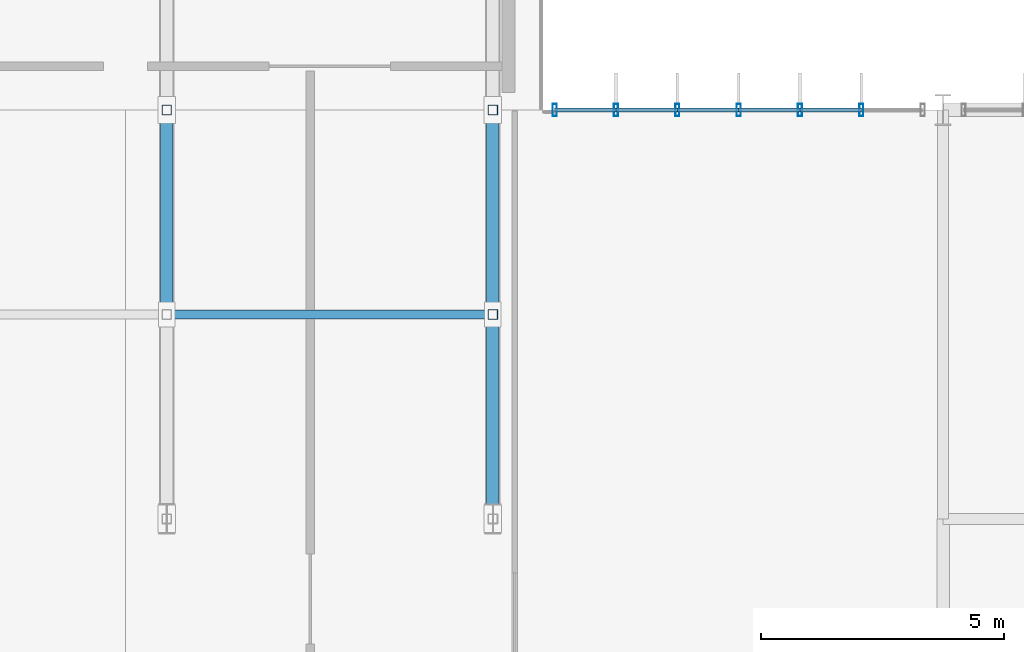
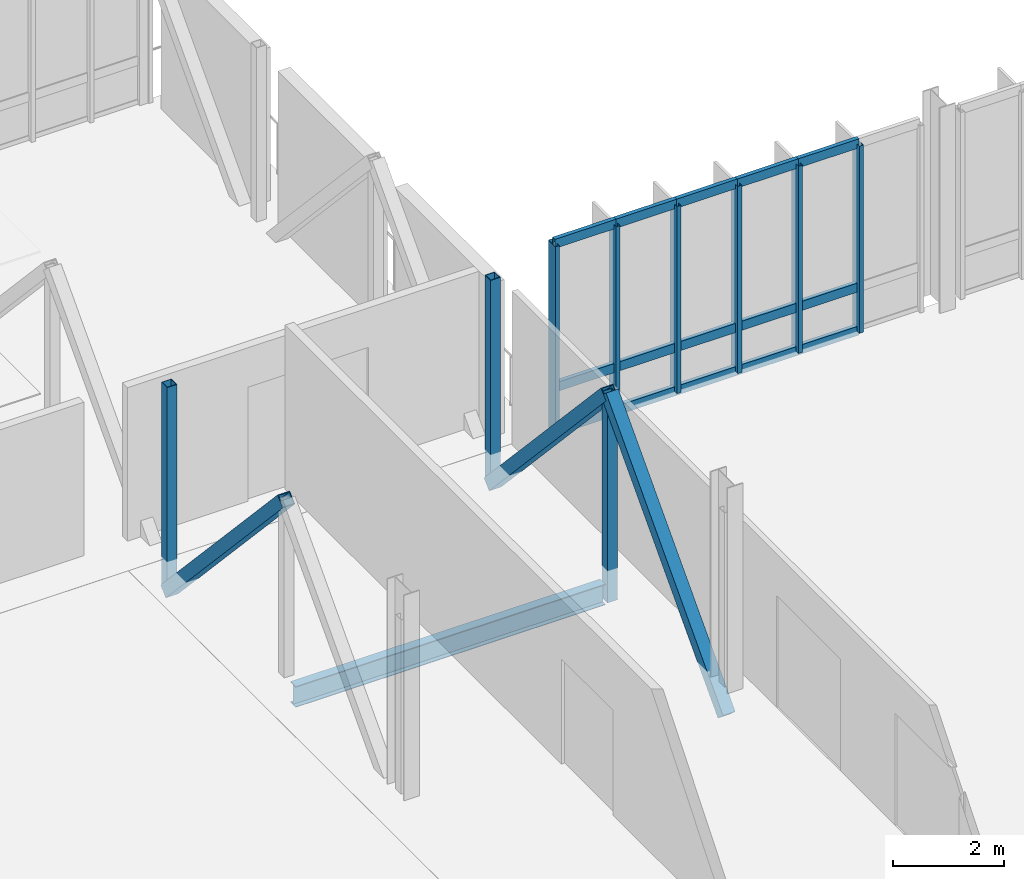
# One storey, part 69 of 139: 27 members, 1 beam, 1 element without a shape of its own.
"""IFC4 building model written with IfcOpenShell, lengths in metres."""

from ifc_helpers import new_model, si_unit, derived_unit, direction, frame, origin, origin_2d, place, context, subcontext, project, spatial, hollow_rectangle, i_section, extrude, material, layer, layer_set, material_profile, profile_set, type_object, element, aggregate, save


model = new_model("IFC4")

# Units and contexts
model_context = context("Model", 3, precision=1e-05, world=origin(), true_north=direction((0.0, 1.0)))
body_context = subcontext(model_context, "Body", "Model", "MODEL_VIEW")
ifc_project = project(units=[si_unit("LENGTHUNIT", "METRE"), si_unit("AREAUNIT", "SQUARE_METRE"), si_unit("VOLUMEUNIT", "CUBIC_METRE"), si_unit("PLANEANGLEUNIT", "RADIAN"), si_unit("MASSUNIT", "GRAM", prefix="KILO"), derived_unit("THERMALTRANSMITTANCEUNIT", [(si_unit("MASSUNIT", "GRAM", prefix="KILO"), 1), (si_unit("TIMEUNIT", "SECOND"), -3), (si_unit("THERMODYNAMICTEMPERATUREUNIT", "KELVIN"), -1)])], contexts=[model_context])

# Site, building, storey
site_placement = place(None, origin())
site = spatial("IfcSite", under=ifc_project, at=site_placement, CompositionType="ELEMENT")
building_placement = place(site_placement, origin())
building = spatial("IfcBuilding", under=site, at=building_placement, Name="Makaiwela Harbour Ferry Terminal", CompositionType="ELEMENT")
storey_placement = place(building_placement, frame((0.0, 0.0, 5.10009765625)))
storey = spatial("IfcBuildingStorey", under=building, at=storey_placement, Name="L01", CompositionType="ELEMENT", Elevation=5.10009765625)

# Curtain wall, members
ifc_material_1 = material(Name="Marine anodised aluminium 6063-T6", Category="aluminium")
ifc_layer = layer(ifc_material_1, 0.199951171875)
ifc_layer_set = layer_set([ifc_layer], Name="Marine anodised aluminium 6063-T6")
curtain_wall_type = type_object("IfcCurtainWallType", Name="ENV-CW-08", PredefinedType="USERDEFINED", material=ifc_layer_set)
curtain_wall_placement = place(storey_placement, origin())
curtain_wall = element("IfcCurtainWall", 1, at=curtain_wall_placement, inside=storey, type_object=curtain_wall_type, Name="Unitised Curtain Wall CWA-084", ObjectType="UNITIZED CURTAIN WALL", PredefinedType="USERDEFINED")
ifc_material_profile_1 = material_profile(ifc_material_1, hollow_rectangle(XDim=0.0849609375, YDim=0.25, WallThickness=0.0048828125, at=origin_2d()), Name="CWM-250X85")
ifc_profile_set_1 = profile_set([ifc_material_profile_1], Name="Marine anodised aluminium 6063-T6")
member_type_1 = type_object("IfcMemberType", Name="CW-MUL-250", PredefinedType="MULLION", material=ifc_profile_set_1)
member_1_placement = place(storey_placement, frame((105.419921875, 103.39990234375, 0.0), z_axis=(0.0, 0.0, 1.0), x_axis=(1.0, 0.0, 0.0)))
member_1 = element("IfcMember", 2, at=member_1_placement, type_object=member_type_1, Name="Curtain Wall Mullion CWA-084-1", PredefinedType="MULLION", context=body_context, shape_type="SweptSolid", body=[
    extrude(hollow_rectangle(XDim=0.0849609375, YDim=0.25, WallThickness=0.0048828125, at=origin_2d()), origin(), (0.0, 0.0, 1.0), 4.099853515625),
])
member_2_placement = place(storey_placement, frame((106.679931640625, 103.39990234375, 0.0), z_axis=(0.0, 0.0, 1.0), x_axis=(1.0, 0.0, 0.0)))
member_2 = element("IfcMember", 3, at=member_2_placement, type_object=member_type_1, Name="Curtain Wall Mullion CWA-084-2", PredefinedType="MULLION", context=body_context, shape_type="SweptSolid", body=[
    extrude(hollow_rectangle(XDim=0.0849609375, YDim=0.25, WallThickness=0.0048828125, at=origin_2d()), origin(), (0.0, 0.0, 1.0), 4.099853515625),
])
member_3_placement = place(storey_placement, frame((107.93994140625, 103.39990234375, 0.0), z_axis=(0.0, 0.0, 1.0), x_axis=(1.0, 0.0, 0.0)))
member_3 = element("IfcMember", 4, at=member_3_placement, type_object=member_type_1, Name="Curtain Wall Mullion CWA-084-3", PredefinedType="MULLION", context=body_context, shape_type="SweptSolid", body=[
    extrude(hollow_rectangle(XDim=0.0849609375, YDim=0.25, WallThickness=0.0048828125, at=origin_2d()), origin(), (0.0, 0.0, 1.0), 4.099853515625),
])
member_4_placement = place(storey_placement, frame((109.199951171875, 103.39990234375, 0.0), z_axis=(0.0, 0.0, 1.0), x_axis=(1.0, 0.0, 0.0)))
member_4 = element("IfcMember", 5, at=member_4_placement, type_object=member_type_1, Name="Curtain Wall Mullion CWA-084-4", PredefinedType="MULLION", context=body_context, shape_type="SweptSolid", body=[
    extrude(hollow_rectangle(XDim=0.0849609375, YDim=0.25, WallThickness=0.0048828125, at=origin_2d()), origin(), (0.0, 0.0, 1.0), 4.099853515625),
])
member_5_placement = place(storey_placement, frame((110.4599609375, 103.39990234375, 0.0), z_axis=(0.0, 0.0, 1.0), x_axis=(1.0, 0.0, 0.0)))
member_5 = element("IfcMember", 6, at=member_5_placement, type_object=member_type_1, Name="Curtain Wall Mullion CWA-084-5", PredefinedType="MULLION", context=body_context, shape_type="SweptSolid", body=[
    extrude(hollow_rectangle(XDim=0.0849609375, YDim=0.25, WallThickness=0.0048828125, at=origin_2d()), origin(), (0.0, 0.0, 1.0), 4.099853515625),
])
member_6_placement = place(storey_placement, frame((111.719970703125, 103.39990234375, 0.0), z_axis=(0.0, 0.0, 1.0), x_axis=(1.0, 0.0, 0.0)))
member_6 = element("IfcMember", 7, at=member_6_placement, type_object=member_type_1, Name="Curtain Wall Mullion CWA-084-6", PredefinedType="MULLION", context=body_context, shape_type="SweptSolid", body=[
    extrude(hollow_rectangle(XDim=0.0849609375, YDim=0.25, WallThickness=0.0048828125, at=origin_2d()), origin(), (0.0, 0.0, 1.0), 4.099853515625),
])
ifc_material_profile_2 = material_profile(ifc_material_1, hollow_rectangle(XDim=0.0849609375, YDim=0.199951171875, WallThickness=0.0048828125, at=origin_2d()), Name="CWT-200X85")
ifc_profile_set_2 = profile_set([ifc_material_profile_2], Name="Marine anodised aluminium 6063-T6")
member_type_2 = type_object("IfcMemberType", Name="CW-TRN-200", PredefinedType="USERDEFINED", material=ifc_profile_set_2)
member_7_placement = place(storey_placement, frame((105.419921875, 103.39990234375, 0.0), z_axis=(1.0, 0.0, 0.0), x_axis=(0.0, 1.0, 0.0)))
member_7 = element("IfcMember", 8, at=member_7_placement, type_object=member_type_2, Name="Curtain Wall Transom CWA-084-1-1", ObjectType="TRANSOM", PredefinedType="USERDEFINED", context=body_context, shape_type="SweptSolid", body=[
    extrude(hollow_rectangle(XDim=0.0849609375, YDim=0.199951171875, WallThickness=0.0048828125, at=origin_2d()), origin(), (0.0, 0.0, 1.0), 1.260009765625),
])
member_8_placement = place(storey_placement, frame((105.419921875, 103.39990234375, 0.949951171875), z_axis=(1.0, 0.0, 0.0), x_axis=(0.0, 1.0, 0.0)))
member_8 = element("IfcMember", 9, at=member_8_placement, type_object=member_type_2, Name="Curtain Wall Transom CWA-084-1-2", ObjectType="TRANSOM", PredefinedType="USERDEFINED", context=body_context, shape_type="SweptSolid", body=[
    extrude(hollow_rectangle(XDim=0.0849609375, YDim=0.199951171875, WallThickness=0.0048828125, at=origin_2d()), origin(), (0.0, 0.0, 1.0), 1.260009765625),
])
member_9_placement = place(storey_placement, frame((105.419921875, 103.39990234375, 4.099853515625), z_axis=(1.0, 0.0, 0.0), x_axis=(0.0, 1.0, 0.0)))
member_9 = element("IfcMember", 10, at=member_9_placement, type_object=member_type_2, Name="Curtain Wall Transom CWA-084-1-3", ObjectType="TRANSOM", PredefinedType="USERDEFINED", context=body_context, shape_type="SweptSolid", body=[
    extrude(hollow_rectangle(XDim=0.0849609375, YDim=0.199951171875, WallThickness=0.0048828125, at=origin_2d()), origin(), (0.0, 0.0, 1.0), 1.260009765625),
])
member_10_placement = place(storey_placement, frame((106.679931640625, 103.39990234375, 0.0), z_axis=(1.0, 0.0, 0.0), x_axis=(0.0, 1.0, 0.0)))
member_10 = element("IfcMember", 11, at=member_10_placement, type_object=member_type_2, Name="Curtain Wall Transom CWA-084-2-1", ObjectType="TRANSOM", PredefinedType="USERDEFINED", context=body_context, shape_type="SweptSolid", body=[
    extrude(hollow_rectangle(XDim=0.0849609375, YDim=0.199951171875, WallThickness=0.0048828125, at=origin_2d()), origin(), (0.0, 0.0, 1.0), 1.260009765625),
])
member_11_placement = place(storey_placement, frame((106.679931640625, 103.39990234375, 0.949951171875), z_axis=(1.0, 0.0, 0.0), x_axis=(0.0, 1.0, 0.0)))
member_11 = element("IfcMember", 12, at=member_11_placement, type_object=member_type_2, Name="Curtain Wall Transom CWA-084-2-2", ObjectType="TRANSOM", PredefinedType="USERDEFINED", context=body_context, shape_type="SweptSolid", body=[
    extrude(hollow_rectangle(XDim=0.0849609375, YDim=0.199951171875, WallThickness=0.0048828125, at=origin_2d()), origin(), (0.0, 0.0, 1.0), 1.260009765625),
])
member_12_placement = place(storey_placement, frame((106.679931640625, 103.39990234375, 4.099853515625), z_axis=(1.0, 0.0, 0.0), x_axis=(0.0, 1.0, 0.0)))
member_12 = element("IfcMember", 13, at=member_12_placement, type_object=member_type_2, Name="Curtain Wall Transom CWA-084-2-3", ObjectType="TRANSOM", PredefinedType="USERDEFINED", context=body_context, shape_type="SweptSolid", body=[
    extrude(hollow_rectangle(XDim=0.0849609375, YDim=0.199951171875, WallThickness=0.0048828125, at=origin_2d()), origin(), (0.0, 0.0, 1.0), 1.260009765625),
])
member_13_placement = place(storey_placement, frame((107.93994140625, 103.39990234375, 0.0), z_axis=(1.0, 0.0, 0.0), x_axis=(0.0, 1.0, 0.0)))
member_13 = element("IfcMember", 14, at=member_13_placement, type_object=member_type_2, Name="Curtain Wall Transom CWA-084-3-1", ObjectType="TRANSOM", PredefinedType="USERDEFINED", context=body_context, shape_type="SweptSolid", body=[
    extrude(hollow_rectangle(XDim=0.0849609375, YDim=0.199951171875, WallThickness=0.0048828125, at=origin_2d()), origin(), (0.0, 0.0, 1.0), 1.260009765625),
])
member_14_placement = place(storey_placement, frame((107.93994140625, 103.39990234375, 0.949951171875), z_axis=(1.0, 0.0, 0.0), x_axis=(0.0, 1.0, 0.0)))
member_14 = element("IfcMember", 15, at=member_14_placement, type_object=member_type_2, Name="Curtain Wall Transom CWA-084-3-2", ObjectType="TRANSOM", PredefinedType="USERDEFINED", context=body_context, shape_type="SweptSolid", body=[
    extrude(hollow_rectangle(XDim=0.0849609375, YDim=0.199951171875, WallThickness=0.0048828125, at=origin_2d()), origin(), (0.0, 0.0, 1.0), 1.260009765625),
])
member_15_placement = place(storey_placement, frame((107.93994140625, 103.39990234375, 4.099853515625), z_axis=(1.0, 0.0, 0.0), x_axis=(0.0, 1.0, 0.0)))
member_15 = element("IfcMember", 16, at=member_15_placement, type_object=member_type_2, Name="Curtain Wall Transom CWA-084-3-3", ObjectType="TRANSOM", PredefinedType="USERDEFINED", context=body_context, shape_type="SweptSolid", body=[
    extrude(hollow_rectangle(XDim=0.0849609375, YDim=0.199951171875, WallThickness=0.0048828125, at=origin_2d()), origin(), (0.0, 0.0, 1.0), 1.260009765625),
])
member_16_placement = place(storey_placement, frame((109.199951171875, 103.39990234375, 0.0), z_axis=(1.0, 0.0, 0.0), x_axis=(0.0, 1.0, 0.0)))
member_16 = element("IfcMember", 17, at=member_16_placement, type_object=member_type_2, Name="Curtain Wall Transom CWA-084-4-1", ObjectType="TRANSOM", PredefinedType="USERDEFINED", context=body_context, shape_type="SweptSolid", body=[
    extrude(hollow_rectangle(XDim=0.0849609375, YDim=0.199951171875, WallThickness=0.0048828125, at=origin_2d()), origin(), (0.0, 0.0, 1.0), 1.260009765625),
])
member_17_placement = place(storey_placement, frame((109.199951171875, 103.39990234375, 0.949951171875), z_axis=(1.0, 0.0, 0.0), x_axis=(0.0, 1.0, 0.0)))
member_17 = element("IfcMember", 18, at=member_17_placement, type_object=member_type_2, Name="Curtain Wall Transom CWA-084-4-2", ObjectType="TRANSOM", PredefinedType="USERDEFINED", context=body_context, shape_type="SweptSolid", body=[
    extrude(hollow_rectangle(XDim=0.0849609375, YDim=0.199951171875, WallThickness=0.0048828125, at=origin_2d()), origin(), (0.0, 0.0, 1.0), 1.260009765625),
])
member_18_placement = place(storey_placement, frame((109.199951171875, 103.39990234375, 4.099853515625), z_axis=(1.0, 0.0, 0.0), x_axis=(0.0, 1.0, 0.0)))
member_18 = element("IfcMember", 19, at=member_18_placement, type_object=member_type_2, Name="Curtain Wall Transom CWA-084-4-3", ObjectType="TRANSOM", PredefinedType="USERDEFINED", context=body_context, shape_type="SweptSolid", body=[
    extrude(hollow_rectangle(XDim=0.0849609375, YDim=0.199951171875, WallThickness=0.0048828125, at=origin_2d()), origin(), (0.0, 0.0, 1.0), 1.260009765625),
])
member_19_placement = place(storey_placement, frame((110.4599609375, 103.39990234375, 0.0), z_axis=(1.0, 0.0, 0.0), x_axis=(0.0, 1.0, 0.0)))
member_19 = element("IfcMember", 20, at=member_19_placement, type_object=member_type_2, Name="Curtain Wall Transom CWA-084-5-1", ObjectType="TRANSOM", PredefinedType="USERDEFINED", context=body_context, shape_type="SweptSolid", body=[
    extrude(hollow_rectangle(XDim=0.0849609375, YDim=0.199951171875, WallThickness=0.0048828125, at=origin_2d()), origin(), (0.0, 0.0, 1.0), 1.260009765625),
])
member_20_placement = place(storey_placement, frame((110.4599609375, 103.39990234375, 0.949951171875), z_axis=(1.0, 0.0, 0.0), x_axis=(0.0, 1.0, 0.0)))
member_20 = element("IfcMember", 21, at=member_20_placement, type_object=member_type_2, Name="Curtain Wall Transom CWA-084-5-2", ObjectType="TRANSOM", PredefinedType="USERDEFINED", context=body_context, shape_type="SweptSolid", body=[
    extrude(hollow_rectangle(XDim=0.0849609375, YDim=0.199951171875, WallThickness=0.0048828125, at=origin_2d()), origin(), (0.0, 0.0, 1.0), 1.260009765625),
])
member_21_placement = place(storey_placement, frame((110.4599609375, 103.39990234375, 4.099853515625), z_axis=(1.0, 0.0, 0.0), x_axis=(0.0, 1.0, 0.0)))
member_21 = element("IfcMember", 22, at=member_21_placement, type_object=member_type_2, Name="Curtain Wall Transom CWA-084-5-3", ObjectType="TRANSOM", PredefinedType="USERDEFINED", context=body_context, shape_type="SweptSolid", body=[
    extrude(hollow_rectangle(XDim=0.0849609375, YDim=0.199951171875, WallThickness=0.0048828125, at=origin_2d()), origin(), (0.0, 0.0, 1.0), 1.260009765625),
])
aggregate(curtain_wall, [member_1, member_2, member_3, member_4, member_5, member_6, member_7, member_8, member_9, member_10, member_11, member_12, member_13, member_14, member_15, member_16, member_17, member_18, member_19, member_20, member_21])

# Members
ifc_material_2 = material(Name="Steel ASTM A500 Grade C", Category="steel")
ifc_material_profile_3 = material_profile(ifc_material_2, hollow_rectangle(XDim=0.25390625, YDim=0.25390625, WallThickness=0.0146484375, at=origin_2d()), Name="HSS10X10X5/8")
ifc_profile_set_3 = profile_set([ifc_material_profile_3], Name="Steel ASTM A500 Grade C")
member_type_3 = type_object("IfcMemberType", Name="STR-BRC-HSS10", PredefinedType="BRACE", material=ifc_profile_set_3)
for number, where, z_axis, x_axis, name in (
    (23, (97.449951171875, 99.199951171875, 3.814453125), (0.0, 0.680693892275, -0.732567966144), (-1.0, 0.0, 0.0), "Structural Member BR-01"),
    (24, (104.14990234375, 95.0, -0.70556640625), (0.0, 0.680693892275, 0.732567966144), (-1.0, 0.0, 0.0), "Structural Member BR-01"),
    (25, (104.14990234375, 99.199951171875, 3.814453125), (0.0, 0.680693892275, -0.732567966144), (-1.0, 0.0, 0.0), "Structural Member BR-01"),
):
    element("IfcMember", number, at=place(storey_placement, frame(where, z_axis=z_axis, x_axis=x_axis)), inside=storey, type_object=member_type_3, Name=name, PredefinedType="BRACE", context=body_context, shape_type="SweptSolid", body=[
        extrude(hollow_rectangle(XDim=0.25390625, YDim=0.25390625, WallThickness=0.0146484375, at=origin_2d()), origin(), (0.0, 0.0, 1.0), 6.170166015625),
    ])

# Beam
ifc_material_3 = material(Name="Steel ASTM A992 Grade 50", Category="steel")
ifc_material_profile_4 = material_profile(ifc_material_3, i_section(OverallWidth=0.18994140625, OverallDepth=0.45703125, WebThickness=0.009033203125, FlangeThickness=0.014404296875, at=origin_2d()), Name="W18X50")
ifc_profile_set_4 = profile_set([ifc_material_profile_4], Name="Steel ASTM A992 Grade 50")
beam_type = type_object("IfcBeamType", Name="STR-JST-W18X50", PredefinedType="JOIST", material=ifc_profile_set_4)
beam_placement = place(storey_placement, frame((97.591064453125, 99.199951171875, -0.508544921875), z_axis=(1.0, 0.0, 0.0), x_axis=(0.0, 1.0, 0.0)))
element("IfcBeam", 26, at=beam_placement, inside=storey, type_object=beam_type, Name="Structural Beam J-01", PredefinedType="JOIST", context=body_context, shape_type="SweptSolid", body=[
    extrude(i_section(OverallWidth=0.18994140625, OverallDepth=0.45703125, WebThickness=0.009033203125, FlangeThickness=0.014404296875, at=origin_2d()), origin(), (0.0, 0.0, 1.0), 6.41796875),
])

# Members
ifc_material_profile_5 = material_profile(ifc_material_2, hollow_rectangle(XDim=0.202880859375, YDim=0.202880859375, WallThickness=0.01171875, at=origin_2d()), Name="HSS8X8X1/2")
ifc_profile_set_5 = profile_set([ifc_material_profile_5], Name="Steel ASTM A500 Grade C")
member_type_4 = type_object("IfcMemberType", Name="STR-PST-HSS8", PredefinedType="POST", material=ifc_profile_set_5)
for number, where, z_axis, x_axis, name in (
    (27, (97.449951171875, 103.39990234375, -0.70556640625), (0.0, 0.0, 1.0), (1.0, 0.0, 0.0), "Structural Member PS-01"),
    (28, (104.14990234375, 99.199951171875, -0.70556640625), (0.0, 0.0, 1.0), (1.0, 0.0, 0.0), "Structural Member PS-01"),
    (29, (104.14990234375, 103.39990234375, -0.70556640625), (0.0, 0.0, 1.0), (1.0, 0.0, 0.0), "Structural Member PS-01"),
):
    element("IfcMember", number, at=place(storey_placement, frame(where, z_axis=z_axis, x_axis=x_axis)), inside=storey, type_object=member_type_4, Name=name, PredefinedType="POST", context=body_context, shape_type="SweptSolid", body=[
        extrude(hollow_rectangle(XDim=0.202880859375, YDim=0.202880859375, WallThickness=0.01171875, at=origin_2d()), origin(), (0.0, 0.0, 1.0), 4.52001953125),
    ])

save(model, "model.ifc")
